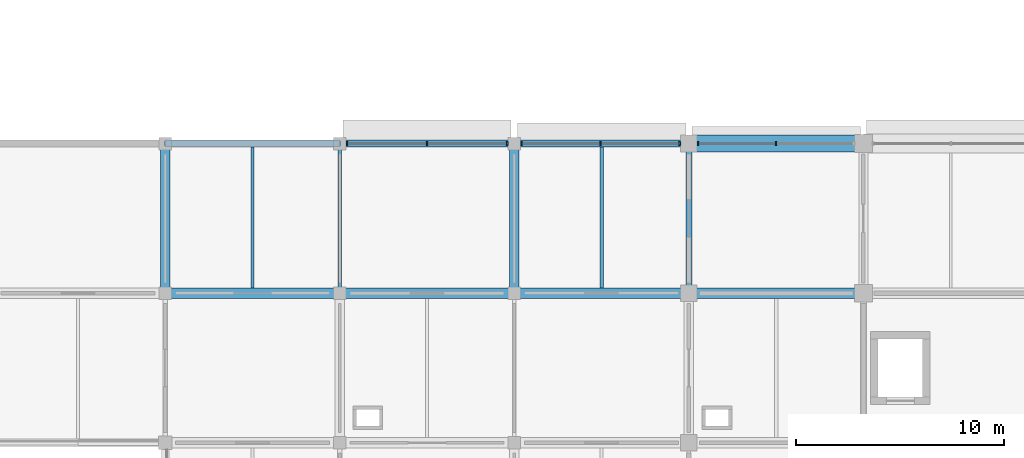
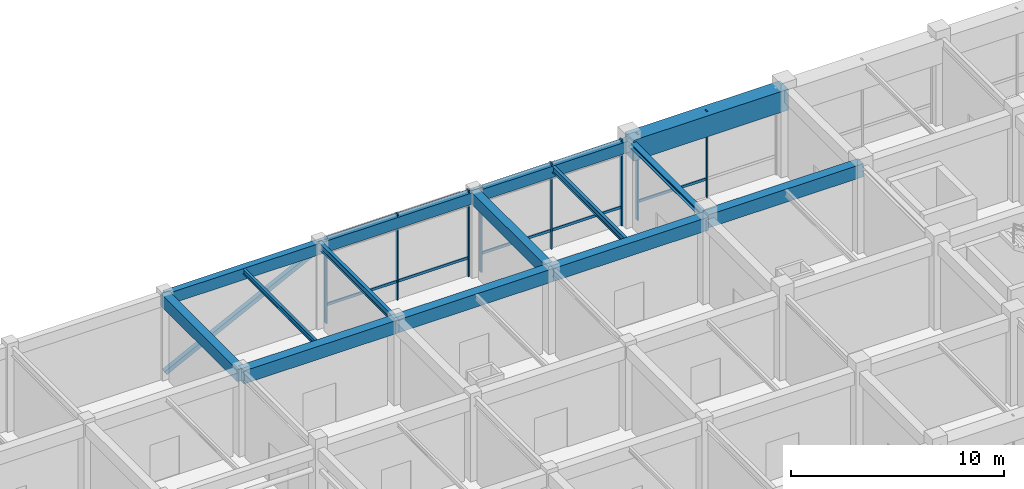
# One storey, part 16 of 38: 14 beams, 14 members, 3 elements without a shape of their own.
"""IFC4 building model written with IfcOpenShell, lengths in metres."""

from ifc_helpers import new_model, si_unit, derived_unit, direction, frame, origin, origin_2d, place, context, subcontext, project, spatial, rectangle, hollow_rectangle, i_section, extrude, material, material_profile, profile_set, type_object, element, aggregate, save


model = new_model("IFC4")

# Units and contexts
model_context = context("Model", 3, precision=1e-05, world=origin(), true_north=direction((0.0, 1.0)))
body_context = subcontext(model_context, "Body", "Model", "MODEL_VIEW")
ifc_project = project(units=[si_unit("LENGTHUNIT", "METRE"), si_unit("AREAUNIT", "SQUARE_METRE"), si_unit("VOLUMEUNIT", "CUBIC_METRE"), si_unit("PLANEANGLEUNIT", "RADIAN"), si_unit("MASSUNIT", "GRAM", prefix="KILO"), derived_unit("THERMALTRANSMITTANCEUNIT", [(si_unit("MASSUNIT", "GRAM", prefix="KILO"), 1), (si_unit("TIMEUNIT", "SECOND"), -3), (si_unit("THERMODYNAMICTEMPERATUREUNIT", "KELVIN"), -1)])], contexts=[model_context])

# Site, building, storey
site_placement = place(None, origin())
site = spatial("IfcSite", under=ifc_project, at=site_placement, CompositionType="ELEMENT")
building_placement = place(site_placement, origin())
building = spatial("IfcBuilding", under=site, at=building_placement, Name="Veldstrom Oceanarium and Marine Research Institute", CompositionType="ELEMENT")
storey_placement = place(building_placement, frame((0.0, 0.0, 16.800048828125)))
storey = spatial("IfcBuildingStorey", under=building, at=storey_placement, Name="L03", CompositionType="ELEMENT", Elevation=16.800048828125)

# Curtain wall, members
ifc_material_1 = material(Name="Anodised Aluminium Framing", Category="aluminium")
curtain_wall_type = type_object("IfcCurtainWallType", Name="ARC-CW-CW02", PredefinedType="USERDEFINED", material=ifc_material_1)
curtain_wall_1_placement = place(storey_placement, origin())
curtain_wall_1 = element("IfcCurtainWall", 1, at=curtain_wall_1_placement, inside=storey, type_object=curtain_wall_type, Name="Curtain Wall CW02 CW-L03-054", ObjectType="Curtain wall", PredefinedType="USERDEFINED")
ifc_material_2 = material(Name="Anodised Aluminium Framing", Category="aluminium")
ifc_material_profile_1 = material_profile(ifc_material_2, rectangle(XDim=0.074951171875, YDim=0.179931640625, at=origin_2d()), Name="ALU-MUL-75x180")
ifc_profile_set_1 = profile_set([ifc_material_profile_1], Name="Anodised Aluminium Framing")
member_type_1 = type_object("IfcMemberType", Name="ARC-MUL-ML1", PredefinedType="MULLION", material=ifc_profile_set_1)
member_1_placement = place(storey_placement, frame((50.739990234375, 72.0, 0.0), z_axis=(0.0, 0.0, 1.0), x_axis=(1.0, 0.0, 0.0)))
member_1 = element("IfcMember", 2, at=member_1_placement, type_object=member_type_1, Name="Curtain Wall Mullion CW-L03-054-MUL-1", PredefinedType="MULLION", context=body_context, shape_type="SweptSolid", body=[
    extrude(rectangle(XDim=0.074951171875, YDim=0.179931640625, at=origin_2d()), origin(), (0.0, 0.0, 1.0), 4.949951171875),
])
member_2_placement = place(storey_placement, frame((54.60009765625, 72.0, 0.0), z_axis=(0.0, 0.0, 1.0), x_axis=(1.0, 0.0, 0.0)))
member_2 = element("IfcMember", 3, at=member_2_placement, type_object=member_type_1, Name="Curtain Wall Mullion CW-L03-054-MUL-2", PredefinedType="MULLION", context=body_context, shape_type="SweptSolid", body=[
    extrude(rectangle(XDim=0.074951171875, YDim=0.179931640625, at=origin_2d()), origin(), (0.0, 0.0, 1.0), 4.949951171875),
])
member_3_placement = place(storey_placement, frame((58.4599609375, 72.0, 0.0), z_axis=(0.0, 0.0, 1.0), x_axis=(1.0, 0.0, 0.0)))
member_3 = element("IfcMember", 4, at=member_3_placement, type_object=member_type_1, Name="Curtain Wall Mullion CW-L03-054-MUL-3", PredefinedType="MULLION", context=body_context, shape_type="SweptSolid", body=[
    extrude(rectangle(XDim=0.074951171875, YDim=0.179931640625, at=origin_2d()), origin(), (0.0, 0.0, 1.0), 4.949951171875),
])

curtain_wall_2_placement = place(storey_placement, origin())
curtain_wall_2 = element("IfcCurtainWall", 5, at=curtain_wall_2_placement, inside=storey, type_object=curtain_wall_type, Name="Curtain Wall CW02 CW-L03-059", ObjectType="Curtain wall", PredefinedType="USERDEFINED")
member_4_placement = place(storey_placement, frame((59.139892578125, 72.0, 0.0), z_axis=(0.0, 0.0, 1.0), x_axis=(1.0, 0.0, 0.0)))
member_4 = element("IfcMember", 6, at=member_4_placement, type_object=member_type_1, Name="Curtain Wall Mullion CW-L03-059-MUL-1", PredefinedType="MULLION", context=body_context, shape_type="SweptSolid", body=[
    extrude(rectangle(XDim=0.074951171875, YDim=0.179931640625, at=origin_2d()), origin(), (0.0, 0.0, 1.0), 4.949951171875),
])
member_5_placement = place(storey_placement, frame((62.949951171875, 72.0, 0.0), z_axis=(0.0, 0.0, 1.0), x_axis=(1.0, 0.0, 0.0)))
member_5 = element("IfcMember", 7, at=member_5_placement, type_object=member_type_1, Name="Curtain Wall Mullion CW-L03-059-MUL-2", PredefinedType="MULLION", context=body_context, shape_type="SweptSolid", body=[
    extrude(rectangle(XDim=0.074951171875, YDim=0.179931640625, at=origin_2d()), origin(), (0.0, 0.0, 1.0), 4.949951171875),
])
member_6_placement = place(storey_placement, frame((66.760009765625, 72.0, 0.0), z_axis=(0.0, 0.0, 1.0), x_axis=(1.0, 0.0, 0.0)))
member_6 = element("IfcMember", 8, at=member_6_placement, type_object=member_type_1, Name="Curtain Wall Mullion CW-L03-059-MUL-3", PredefinedType="MULLION", context=body_context, shape_type="SweptSolid", body=[
    extrude(rectangle(XDim=0.074951171875, YDim=0.179931640625, at=origin_2d()), origin(), (0.0, 0.0, 1.0), 4.949951171875),
])

curtain_wall_3_placement = place(storey_placement, origin())
curtain_wall_3 = element("IfcCurtainWall", 9, at=curtain_wall_3_placement, inside=storey, type_object=curtain_wall_type, Name="Curtain Wall CW02 CW-L03-061", ObjectType="Curtain wall", PredefinedType="USERDEFINED")
member_7_placement = place(storey_placement, frame((67.639892578125, 72.0, 0.0), z_axis=(0.0, 0.0, 1.0), x_axis=(1.0, 0.0, 0.0)))
member_7 = element("IfcMember", 10, at=member_7_placement, type_object=member_type_1, Name="Curtain Wall Mullion CW-L03-061-MUL-1", PredefinedType="MULLION", context=body_context, shape_type="SweptSolid", body=[
    extrude(rectangle(XDim=0.074951171875, YDim=0.179931640625, at=origin_2d()), origin(), (0.0, 0.0, 1.0), 4.949951171875),
])
member_8_placement = place(storey_placement, frame((71.387451171875, 72.0, 0.0), z_axis=(0.0, 0.0, 1.0), x_axis=(1.0, 0.0, 0.0)))
member_8 = element("IfcMember", 11, at=member_8_placement, type_object=member_type_1, Name="Curtain Wall Mullion CW-L03-061-MUL-2", PredefinedType="MULLION", context=body_context, shape_type="SweptSolid", body=[
    extrude(rectangle(XDim=0.074951171875, YDim=0.179931640625, at=origin_2d()), origin(), (0.0, 0.0, 1.0), 4.949951171875),
])

# Member
ifc_material_3 = material(Name="Anodised Aluminium Framing", Category="aluminium")
ifc_material_profile_2 = material_profile(ifc_material_3, rectangle(XDim=0.074951171875, YDim=0.14990234375, at=origin_2d()), Name="ALU-TRN-75x150")
ifc_profile_set_2 = profile_set([ifc_material_profile_2], Name="Anodised Aluminium Framing")
member_type_2 = type_object("IfcMemberType", Name="ARC-TRN-TR1", PredefinedType="USERDEFINED", material=ifc_profile_set_2)
member_9_placement = place(storey_placement, frame((50.780029296875, 72.0, 1.050048828125), z_axis=(1.0, 0.0, 0.0), x_axis=(0.0, 1.0, 0.0)))
member_9 = element("IfcMember", 12, at=member_9_placement, type_object=member_type_2, Name="Curtain Wall Transom CW-L03-054-TRN-1", ObjectType="Transom", PredefinedType="USERDEFINED", context=body_context, shape_type="SweptSolid", body=[
    extrude(rectangle(XDim=0.074951171875, YDim=0.14990234375, at=origin_2d()), origin(), (0.0, 0.0, 1.0), 3.780029296875),
])

member_10_placement = place(storey_placement, frame((54.639892578125, 72.0, 1.050048828125), z_axis=(1.0, 0.0, 0.0), x_axis=(0.0, 1.0, 0.0)))
member_10 = element("IfcMember", 13, at=member_10_placement, type_object=member_type_2, Name="Curtain Wall Transom CW-L03-054-TRN-2", ObjectType="Transom", PredefinedType="USERDEFINED", context=body_context, shape_type="SweptSolid", body=[
    extrude(rectangle(XDim=0.074951171875, YDim=0.14990234375, at=origin_2d()), origin(), (0.0, 0.0, 1.0), 3.780029296875),
])

aggregate(curtain_wall_1, [member_1, member_2, member_3, member_9, member_10])

member_11_placement = place(storey_placement, frame((59.179931640625, 72.0, 1.050048828125), z_axis=(1.0, 0.0, 0.0), x_axis=(0.0, 1.0, 0.0)))
member_11 = element("IfcMember", 14, at=member_11_placement, type_object=member_type_2, Name="Curtain Wall Transom CW-L03-059-TRN-1", ObjectType="Transom", PredefinedType="USERDEFINED", context=body_context, shape_type="SweptSolid", body=[
    extrude(rectangle(XDim=0.074951171875, YDim=0.14990234375, at=origin_2d()), origin(), (0.0, 0.0, 1.0), 3.72998046875),
])

member_12_placement = place(storey_placement, frame((62.989990234375, 72.0, 1.050048828125), z_axis=(1.0, 0.0, 0.0), x_axis=(0.0, 1.0, 0.0)))
member_12 = element("IfcMember", 15, at=member_12_placement, type_object=member_type_2, Name="Curtain Wall Transom CW-L03-059-TRN-2", ObjectType="Transom", PredefinedType="USERDEFINED", context=body_context, shape_type="SweptSolid", body=[
    extrude(rectangle(XDim=0.074951171875, YDim=0.14990234375, at=origin_2d()), origin(), (0.0, 0.0, 1.0), 3.72998046875),
])

aggregate(curtain_wall_2, [member_4, member_5, member_6, member_11, member_12])

member_13_placement = place(storey_placement, frame((67.679931640625, 72.0, 1.050048828125), z_axis=(1.0, 0.0, 0.0), x_axis=(0.0, 1.0, 0.0)))
member_13 = element("IfcMember", 16, at=member_13_placement, type_object=member_type_2, Name="Curtain Wall Transom CW-L03-061-TRN-1", ObjectType="Transom", PredefinedType="USERDEFINED", context=body_context, shape_type="SweptSolid", body=[
    extrude(rectangle(XDim=0.074951171875, YDim=0.14990234375, at=origin_2d()), origin(), (0.0, 0.0, 1.0), 3.66748046875),
])

aggregate(curtain_wall_3, [member_7, member_8, member_13])

# Beams
ifc_material_4 = material(Name="Concrete C40/50", Category="concrete")
ifc_material_profile_3 = material_profile(ifc_material_4, rectangle(XDim=0.5, YDim=0.75, at=origin_2d()), Name="RC-BM-500x750")
ifc_profile_set_3 = profile_set([ifc_material_profile_3], Name="Concrete C40/50")
beam_type_1 = type_object("IfcBeamType", Name="STR-BM-B03", PredefinedType="BEAM", material=ifc_profile_set_3)
beam_1_placement = place(storey_placement, frame((42.0, 64.800048828125, 4.445068359375), z_axis=(1.0, 0.0, 0.0), x_axis=(0.0, 1.0, 0.0)))
element("IfcBeam", 17, at=beam_1_placement, inside=storey, type_object=beam_type_1, Name="Primary Beam B03 L03-1872", PredefinedType="BEAM", context=body_context, shape_type="SweptSolid", body=[
    extrude(rectangle(XDim=0.5, YDim=0.75, at=origin_2d()), origin(), (0.0, 0.0, 1.0), 8.39990234375),
])
beam_2_placement = place(storey_placement, frame((50.39990234375, 64.800048828125, 4.445068359375), z_axis=(1.0, 0.0, 0.0), x_axis=(0.0, 1.0, 0.0)))
element("IfcBeam", 18, at=beam_2_placement, inside=storey, type_object=beam_type_1, Name="Primary Beam B03 L03-1882", PredefinedType="BEAM", context=body_context, shape_type="SweptSolid", body=[
    extrude(rectangle(XDim=0.5, YDim=0.75, at=origin_2d()), origin(), (0.0, 0.0, 1.0), 8.400146484375),
])
beam_3_placement = place(storey_placement, frame((58.800048828125, 64.800048828125, 4.445068359375), z_axis=(1.0, 0.0, 0.0), x_axis=(0.0, 1.0, 0.0)))
element("IfcBeam", 19, at=beam_3_placement, inside=storey, type_object=beam_type_1, Name="Primary Beam B03 L03-1892", PredefinedType="BEAM", context=body_context, shape_type="SweptSolid", body=[
    extrude(rectangle(XDim=0.5, YDim=0.75, at=origin_2d()), origin(), (0.0, 0.0, 1.0), 8.39990234375),
])
beam_4_placement = place(storey_placement, frame((67.199951171875, 64.800048828125, 4.570068359375), z_axis=(1.0, 0.0, 0.0), x_axis=(0.0, 1.0, 0.0)))
element("IfcBeam", 20, at=beam_4_placement, inside=storey, type_object=beam_type_1, Name="Primary Beam B03 L03-1897", PredefinedType="BEAM", context=body_context, shape_type="SweptSolid", body=[
    extrude(rectangle(XDim=0.5, YDim=0.75, at=origin_2d()), origin(), (0.0, 0.0, 1.0), 8.400146484375),
])
ifc_material_5 = material(Name="Concrete C40/50", Category="concrete")
ifc_material_profile_4 = material_profile(ifc_material_5, rectangle(XDim=0.449951171875, YDim=0.699951171875, at=origin_2d()), Name="RC-BM-450x700")
ifc_profile_set_4 = profile_set([ifc_material_profile_4], Name="Concrete C40/50")
beam_type_2 = type_object("IfcBeamType", Name="STR-BM-B04", PredefinedType="BEAM", material=ifc_profile_set_4)
for number, where, z_axis, x_axis, name in (
    (21, (42.0, 64.800048828125, 4.469970703125), (0.0, 1.0, 0.0), (-1.0, 0.0, 0.0), "Primary Beam B04 L03-1980"),
    (22, (58.800048828125, 64.800048828125, 4.469970703125), (0.0, 1.0, 0.0), (-1.0, 0.0, 0.0), "Primary Beam B04 L03-1998"),
):
    element("IfcBeam", number, at=place(storey_placement, frame(where, z_axis=z_axis, x_axis=x_axis)), inside=storey, type_object=beam_type_2, Name=name, PredefinedType="BEAM", context=body_context, shape_type="SweptSolid", body=[
        extrude(rectangle(XDim=0.449951171875, YDim=0.699951171875, at=origin_2d()), origin(), (0.0, 0.0, 1.0), 7.199951171875),
    ])
ifc_material_6 = material(Name="Steel S355JR", Category="steel")
ifc_material_profile_5 = material_profile(ifc_material_6, i_section(OverallWidth=0.300048828125, OverallDepth=0.2900390625, WebThickness=0.008544921875, FlangeThickness=0.013916015625, FilletRadius=0.027099609375, at=origin_2d()), Name="HEA 300")
ifc_profile_set_5 = profile_set([ifc_material_profile_5], Name="Steel S355JR")
beam_type_3 = type_object("IfcBeamType", Name="STR-BM-SB10", PredefinedType="BEAM", material=ifc_profile_set_5)
beam_5_placement = place(storey_placement, frame((67.199951171875, 64.800048828125, 4.675048828125), z_axis=(0.0, 1.0, 0.0), x_axis=(-1.0, 0.0, 0.0)))
element("IfcBeam", 23, at=beam_5_placement, inside=storey, type_object=beam_type_3, Name="Steel Tie Beam SB10 L03-2007", PredefinedType="BEAM", context=body_context, shape_type="SweptSolid", body=[
    extrude(i_section(OverallWidth=0.300048828125, OverallDepth=0.2900390625, WebThickness=0.008544921875, FlangeThickness=0.013916015625, FilletRadius=0.027099609375, at=origin_2d()), origin(), (0.0, 0.0, 1.0), 7.199951171875),
])
ifc_material_7 = material(Name="Steel S355JR", Category="steel")
ifc_material_profile_6 = material_profile(ifc_material_7, i_section(OverallWidth=0.179931640625, OverallDepth=0.39990234375, WebThickness=0.008544921875, FlangeThickness=0.013427734375, FilletRadius=0.02099609375, at=origin_2d()), Name="IPE 400")
ifc_profile_set_6 = profile_set([ifc_material_profile_6], Name="Steel S355JR")
beam_type_4 = type_object("IfcBeamType", Name="STR-BM-SB8", PredefinedType="BEAM", material=ifc_profile_set_6)
beam_6_placement = place(storey_placement, frame((50.39990234375, 64.800048828125, 4.619873046875), z_axis=(0.0, 1.0, 0.0), x_axis=(-1.0, 0.0, 0.0)))
element("IfcBeam", 24, at=beam_6_placement, inside=storey, type_object=beam_type_4, Name="Steel Tie Beam SB8 L03-1989", PredefinedType="BEAM", context=body_context, shape_type="SweptSolid", body=[
    extrude(i_section(OverallWidth=0.179931640625, OverallDepth=0.39990234375, WebThickness=0.008544921875, FlangeThickness=0.013427734375, FilletRadius=0.02099609375, at=origin_2d()), origin(), (0.0, 0.0, 1.0), 7.199951171875),
])
ifc_material_8 = material(Name="Steel S355JR", Category="steel")
ifc_material_profile_7 = material_profile(ifc_material_8, i_section(OverallWidth=0.169921875, OverallDepth=0.360107421875, WebThickness=0.008056640625, FlangeThickness=0.0126953125, FilletRadius=0.01806640625, at=origin_2d()), Name="IPE 360")
ifc_profile_set_7 = profile_set([ifc_material_profile_7], Name="Steel S355JR")
beam_type_5 = type_object("IfcBeamType", Name="STR-JST-SJ1", PredefinedType="JOIST", material=ifc_profile_set_7)
beam_7_placement = place(storey_placement, frame((63.0, 65.050048828125, 4.639892578125), z_axis=(0.0, 1.0, 0.0), x_axis=(-1.0, 0.0, 0.0)))
element("IfcBeam", 25, at=beam_7_placement, inside=storey, type_object=beam_type_5, Name="Secondary Joist SJ1 L03-2075", PredefinedType="JOIST", context=body_context, shape_type="SweptSolid", body=[
    extrude(i_section(OverallWidth=0.169921875, OverallDepth=0.360107421875, WebThickness=0.008056640625, FlangeThickness=0.0126953125, FilletRadius=0.01806640625, at=origin_2d()), origin(), (0.0, 0.0, 1.0), 6.77490234375),
])
ifc_material_9 = material(Name="Steel S355JR", Category="steel")
ifc_material_profile_8 = material_profile(ifc_material_9, i_section(OverallWidth=0.14990234375, OverallDepth=0.300048828125, WebThickness=0.007080078125, FlangeThickness=0.0107421875, FilletRadius=0.014892578125, at=origin_2d()), Name="IPE 300")
ifc_profile_set_8 = profile_set([ifc_material_profile_8], Name="Steel S355JR")
beam_type_6 = type_object("IfcBeamType", Name="STR-JST-SJ2", PredefinedType="JOIST", material=ifc_profile_set_8)
beam_8_placement = place(storey_placement, frame((46.199951171875, 65.050048828125, 4.669921875), z_axis=(0.0, 1.0, 0.0), x_axis=(-1.0, 0.0, 0.0)))
element("IfcBeam", 26, at=beam_8_placement, inside=storey, type_object=beam_type_6, Name="Secondary Joist SJ2 L03-2066", PredefinedType="JOIST", context=body_context, shape_type="SweptSolid", body=[
    extrude(i_section(OverallWidth=0.14990234375, OverallDepth=0.300048828125, WebThickness=0.007080078125, FlangeThickness=0.0107421875, FilletRadius=0.014892578125, at=origin_2d()), origin(), (0.0, 0.0, 1.0), 6.77490234375),
])

# Member
ifc_material_10 = material(Name="Steel S355JR", Category="steel")
ifc_material_profile_9 = material_profile(ifc_material_10, hollow_rectangle(XDim=0.25, YDim=0.25, WallThickness=0.012451171875, at=origin_2d()), Name="SHS 250x250x12.5")
ifc_profile_set_9 = profile_set([ifc_material_profile_9], Name="Steel S355JR")
member_type_3 = type_object("IfcMemberType", Name="STR-MEM-CH1", PredefinedType="CHORD", material=ifc_profile_set_9)
member_14_placement = place(storey_placement, frame((42.0, 72.0, 0.25), z_axis=(0.893365293438, 0.0, 0.449331116751), x_axis=(0.0, 1.0, 0.0)))
element("IfcMember", 27, at=member_14_placement, inside=storey, type_object=member_type_3, Name="Party-Wall Lateral Brace LB-L03-0633", PredefinedType="CHORD", context=body_context, shape_type="SweptSolid", body=[
    extrude(hollow_rectangle(XDim=0.25, YDim=0.25, WallThickness=0.012451171875, at=origin_2d()), origin(), (0.0, 0.0, 1.0), 9.402587890625),
])

# Beams
ifc_material_11 = material(Name="Concrete C40/50", Category="concrete")
ifc_material_profile_10 = material_profile(ifc_material_11, rectangle(XDim=0.35009765625, YDim=0.64990234375, at=origin_2d()), Name="RC-SPN-350x650")
ifc_profile_set_10 = profile_set([ifc_material_profile_10], Name="Concrete C40/50")
beam_type_7 = type_object("IfcBeamType", Name="STR-SPN-SP1", PredefinedType="SPANDREL", material=ifc_profile_set_10)
beam_9_placement = place(storey_placement, frame((42.0, 72.0, 4.494873046875), z_axis=(1.0, 0.0, 0.0), x_axis=(0.0, 1.0, 0.0)))
element("IfcBeam", 28, at=beam_9_placement, inside=storey, type_object=beam_type_7, Name="Perimeter Spandrel SPB1 L03-1873", PredefinedType="SPANDREL", context=body_context, shape_type="SweptSolid", body=[
    extrude(rectangle(XDim=0.35009765625, YDim=0.64990234375, at=origin_2d()), origin(), (0.0, 0.0, 1.0), 8.39990234375),
])
beam_10_placement = place(storey_placement, frame((50.39990234375, 72.0, 4.494873046875), z_axis=(1.0, 0.0, 0.0), x_axis=(0.0, 1.0, 0.0)))
element("IfcBeam", 29, at=beam_10_placement, inside=storey, type_object=beam_type_7, Name="Perimeter Spandrel SPB1 L03-1883", PredefinedType="SPANDREL", context=body_context, shape_type="SweptSolid", body=[
    extrude(rectangle(XDim=0.35009765625, YDim=0.64990234375, at=origin_2d()), origin(), (0.0, 0.0, 1.0), 8.400146484375),
])
beam_11_placement = place(storey_placement, frame((58.800048828125, 72.0, 4.494873046875), z_axis=(1.0, 0.0, 0.0), x_axis=(0.0, 1.0, 0.0)))
element("IfcBeam", 30, at=beam_11_placement, inside=storey, type_object=beam_type_7, Name="Perimeter Spandrel SPB1 L03-1893", PredefinedType="SPANDREL", context=body_context, shape_type="SweptSolid", body=[
    extrude(rectangle(XDim=0.35009765625, YDim=0.64990234375, at=origin_2d()), origin(), (0.0, 0.0, 1.0), 8.39990234375),
])
ifc_material_12 = material(Name="Concrete C50/60", Category="concrete")
ifc_material_profile_11 = material_profile(ifc_material_12, rectangle(XDim=0.800048828125, YDim=1.199951171875, at=origin_2d()), Name="RC-TG-800x1200")
ifc_profile_set_11 = profile_set([ifc_material_profile_11], Name="Concrete C50/60")
beam_type_8 = type_object("IfcBeamType", Name="STR-TG-TG1", PredefinedType="BEAM", material=ifc_profile_set_11)
beam_12_placement = place(storey_placement, frame((67.199951171875, 72.0, 4.344970703125), z_axis=(1.0, 0.0, 0.0), x_axis=(0.0, 1.0, 0.0)))
element("IfcBeam", 31, at=beam_12_placement, inside=storey, type_object=beam_type_8, Name="Transfer Girder TG1 L03-1898", PredefinedType="BEAM", context=body_context, shape_type="SweptSolid", body=[
    extrude(rectangle(XDim=0.800048828125, YDim=1.199951171875, at=origin_2d()), origin(), (0.0, 0.0, 1.0), 8.400146484375),
])

save(model, "model.ifc")
